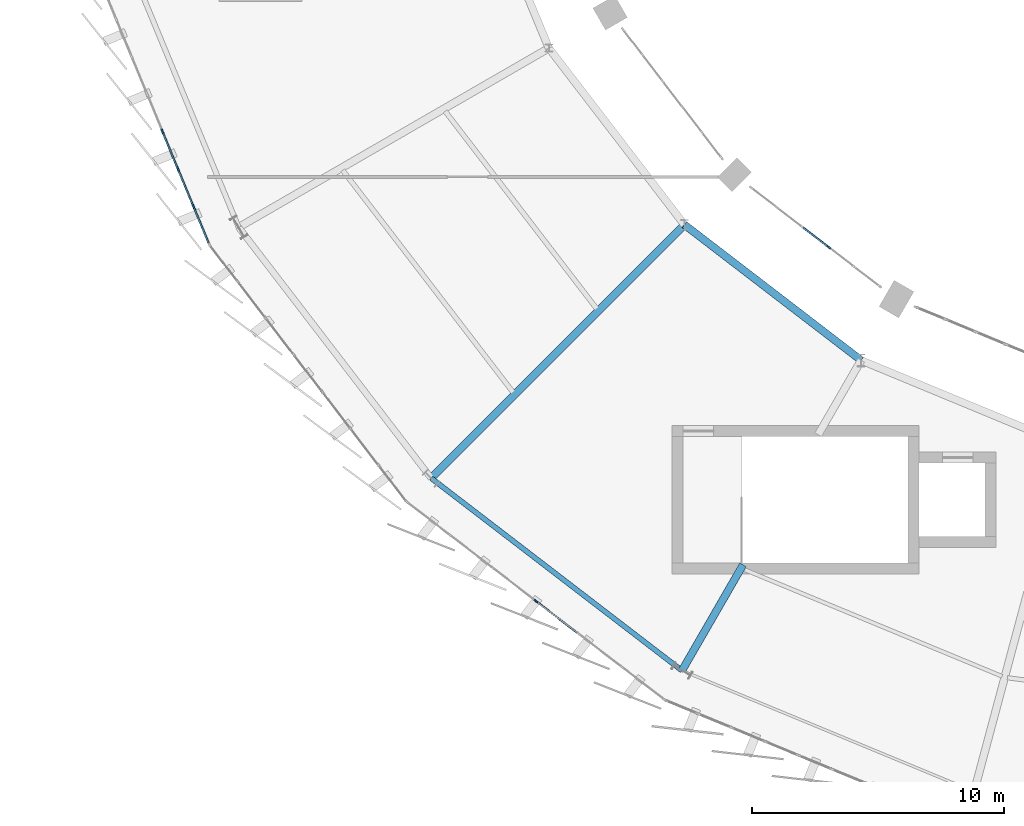
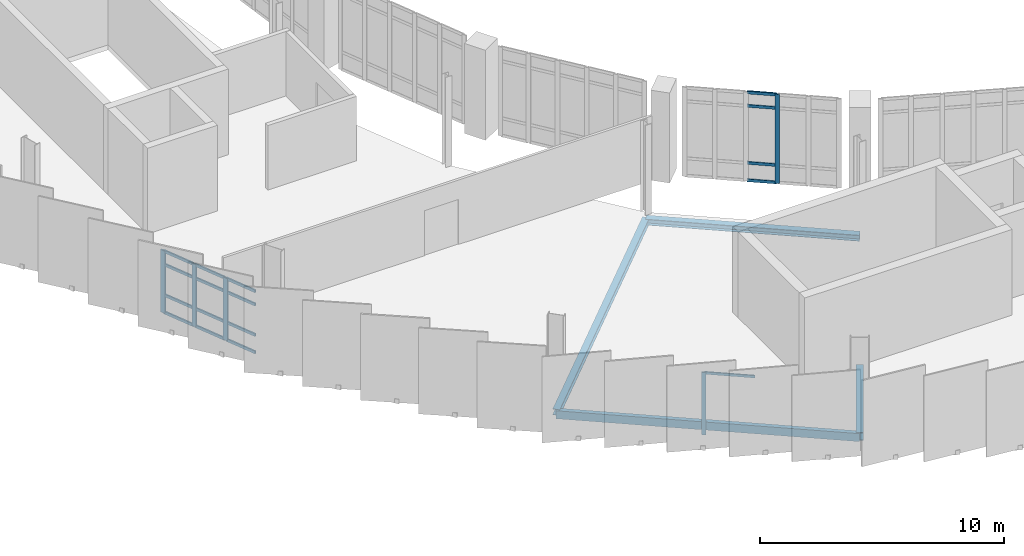
# One storey, part 16 of 67: 22 members, 4 beams, 3 elements without a shape of their own.
"""IFC4 building model written with IfcOpenShell, lengths in metres."""

from ifc_helpers import new_model, si_unit, direction, frame, origin, origin_2d, place, context, subcontext, project, spatial, rectangle, hollow_rectangle, i_section, extrude, material, layer, layer_set, material_profile, profile_set, type_object, element, aggregate, save


model = new_model("IFC4")

# Units and contexts
model_context = context("Model", 3, precision=1e-05, world=origin(), true_north=direction((0.0, 1.0)))
body_context = subcontext(model_context, "Body", "Model", "MODEL_VIEW")
ifc_project = project(units=[si_unit("LENGTHUNIT", "METRE"), si_unit("AREAUNIT", "SQUARE_METRE"), si_unit("VOLUMEUNIT", "CUBIC_METRE"), si_unit("PLANEANGLEUNIT", "RADIAN"), si_unit("MASSUNIT", "GRAM", prefix="KILO")], contexts=[model_context])

# Site, building, storey
site_placement = place(None, origin())
site = spatial("IfcSite", under=ifc_project, at=site_placement, CompositionType="ELEMENT")
building_placement = place(site_placement, origin())
building = spatial("IfcBuilding", under=site, at=building_placement, Name="Sohan Crest Arena", CompositionType="ELEMENT")
storey_placement = place(building_placement, frame((0.0, 0.0, 22.5)))
storey = spatial("IfcBuildingStorey", under=building, at=storey_placement, Name="L05", CompositionType="ELEMENT", Elevation=22.5)

# Curtain wall, member
ifc_material_1 = material(Name="Thermally broken anodised aluminium", Category="aluminium")
ifc_layer_1 = layer(ifc_material_1, 0.239990234375, Name="Thermally broken anodised aluminium")
ifc_layer_set_1 = layer_set([ifc_layer_1], Name="Thermally broken anodised aluminium")
curtain_wall_type_1 = type_object("IfcCurtainWallType", Name="ARC-CW04", PredefinedType="NOTDEFINED", material=ifc_layer_set_1)
curtain_wall_1_placement = place(storey_placement, origin())
curtain_wall_1 = element("IfcCurtainWall", 1, at=curtain_wall_1_placement, inside=storey, type_object=curtain_wall_type_1, Name="Unitised curtain wall CW-155", PredefinedType="NOTDEFINED")
ifc_material_profile_1 = material_profile(ifc_material_1, rectangle(XDim=0.06494140625, YDim=0.179931640625, at=origin_2d()), Name="ALU-MULL 65x180")
ifc_profile_set_1 = profile_set([ifc_material_profile_1], Name="Thermally broken anodised aluminium")
member_type_1 = type_object("IfcMemberType", Name="ARC-CW-ML02", PredefinedType="MULLION", material=ifc_profile_set_1)
member_1_placement = place(storey_placement, frame((68.214599609375, 39.18310546875, 0.0), z_axis=(0.0, 0.0, 1.0), x_axis=(0.60871994181, 0.793385172815, 0.0)))
member_1 = element("IfcMember", 2, at=member_1_placement, type_object=member_type_1, Name="CW-155 mullion 4", PredefinedType="MULLION", context=body_context, shape_type="SweptSolid", body=[
    extrude(rectangle(XDim=0.06494140625, YDim=0.179931640625, at=origin_2d()), origin(), (0.0, 0.0, 1.0), 3.1201171875),
])

ifc_layer_2 = layer(ifc_material_1, 0.18994140625, Name="Thermally broken anodised aluminium")
ifc_layer_set_2 = layer_set([ifc_layer_2], Name="Thermally broken anodised aluminium")
curtain_wall_type_2 = type_object("IfcCurtainWallType", Name="ARC-CW05", PredefinedType="NOTDEFINED", material=ifc_layer_set_2)
curtain_wall_2_placement = place(storey_placement, origin())
curtain_wall_2 = element("IfcCurtainWall", 3, at=curtain_wall_2_placement, inside=storey, type_object=curtain_wall_type_2, Name="Unitised curtain wall CW-182", PredefinedType="NOTDEFINED")
ifc_material_profile_2 = material_profile(ifc_material_1, rectangle(XDim=0.070068359375, YDim=0.199951171875, at=origin_2d()), Name="ALU-MULL 70x200")
ifc_profile_set_2 = profile_set([ifc_material_profile_2], Name="Thermally broken anodised aluminium")
member_type_2 = type_object("IfcMemberType", Name="ARC-CW-ML03", PredefinedType="MULLION", material=ifc_profile_set_2)
member_2_placement = place(storey_placement, frame((79.8017578125, 53.2236328125, 0.0), z_axis=(0.0, 0.0, 1.0), x_axis=(0.608939000248, 0.793217053508, 0.0)))
member_2 = element("IfcMember", 4, at=member_2_placement, type_object=member_type_2, Name="CW-182 mullion 4", PredefinedType="MULLION", context=body_context, shape_type="SweptSolid", body=[
    extrude(rectangle(XDim=0.070068359375, YDim=0.199951171875, at=origin_2d()), origin(), (0.0, 0.0, 1.0), 4.449951171875),
])

# Curtain wall, members
ifc_layer_3 = layer(ifc_material_1, 0.199951171875, Name="Thermally broken anodised aluminium")
ifc_layer_set_3 = layer_set([ifc_layer_3], Name="Thermally broken anodised aluminium")
curtain_wall_type_3 = type_object("IfcCurtainWallType", Name="ARC-CW02", PredefinedType="NOTDEFINED", material=ifc_layer_set_3)
curtain_wall_3_placement = place(storey_placement, origin())
curtain_wall_3 = element("IfcCurtainWall", 5, at=curtain_wall_3_placement, inside=storey, type_object=curtain_wall_type_3, Name="Unitised curtain wall CW-153", PredefinedType="NOTDEFINED")
ifc_material_profile_3 = material_profile(ifc_material_1, rectangle(XDim=0.074951171875, YDim=0.219970703125, at=origin_2d()), Name="ALU-MULL 75x220")
ifc_profile_set_3 = profile_set([ifc_material_profile_3], Name="Thermally broken anodised aluminium")
member_type_3 = type_object("IfcMemberType", Name="ARC-CW-ML04", PredefinedType="MULLION", material=ifc_profile_set_3)
member_3_placement = place(storey_placement, frame((53.413330078125, 57.788330078125, 0.0), z_axis=(0.0, 0.0, 1.0), x_axis=(0.923878704229, 0.382685432009, 0.0)))
member_3 = element("IfcMember", 6, at=member_3_placement, type_object=member_type_3, Name="CW-153 mullion 6", PredefinedType="MULLION", context=body_context, shape_type="SweptSolid", body=[
    extrude(rectangle(XDim=0.074951171875, YDim=0.219970703125, at=origin_2d()), origin(), (0.0, 0.0, 1.0), 3.1201171875),
])
member_4_placement = place(storey_placement, frame((54.029541015625, 56.300537109375, 0.0), z_axis=(0.0, 0.0, 1.0), x_axis=(0.923878704229, 0.382685432009, 0.0)))
member_4 = element("IfcMember", 7, at=member_4_placement, type_object=member_type_3, Name="CW-153 mullion 7", PredefinedType="MULLION", context=body_context, shape_type="SweptSolid", body=[
    extrude(rectangle(XDim=0.074951171875, YDim=0.219970703125, at=origin_2d()), origin(), (0.0, 0.0, 1.0), 3.1201171875),
])
member_5_placement = place(storey_placement, frame((54.645751953125, 54.812744140625, 0.0), z_axis=(0.0, 0.0, 1.0), x_axis=(0.923878704229, 0.382685432009, 0.0)))
member_5 = element("IfcMember", 8, at=member_5_placement, type_object=member_type_3, Name="CW-153 mullion 8", PredefinedType="MULLION", context=body_context, shape_type="SweptSolid", body=[
    extrude(rectangle(XDim=0.074951171875, YDim=0.219970703125, at=origin_2d()), origin(), (0.0, 0.0, 1.0), 3.1201171875),
])

# Member
ifc_material_profile_4 = material_profile(ifc_material_1, rectangle(XDim=0.06005859375, YDim=0.1201171875, at=origin_2d()), Name="ALU-TRAN 60x120")
ifc_profile_set_4 = profile_set([ifc_material_profile_4], Name="Thermally broken anodised aluminium")
member_type_4 = type_object("IfcMemberType", Name="ARC-CW-TR01", PredefinedType="USERDEFINED", material=ifc_profile_set_4)
member_6_placement = place(storey_placement, frame((68.240234375, 39.163330078125, 3.090087890625), z_axis=(0.793381749206, -0.608724404001, 0.0), x_axis=(0.608724404001, 0.793381749206, 0.0)))
member_6 = element("IfcMember", 9, at=member_6_placement, type_object=member_type_4, Name="CW-155 transom 4.4", ObjectType="TRANSOM", PredefinedType="USERDEFINED", context=body_context, shape_type="SweptSolid", body=[
    extrude(rectangle(XDim=0.06005859375, YDim=0.1201171875, at=origin_2d()), origin(), (0.0, 0.0, 1.0), 2.082275390625),
])

aggregate(curtain_wall_1, [member_1, member_6])

ifc_material_profile_5 = material_profile(ifc_material_1, rectangle(XDim=0.06494140625, YDim=0.139892578125, at=origin_2d()), Name="ALU-TRAN 65x140")
ifc_profile_set_5 = profile_set([ifc_material_profile_5], Name="Thermally broken anodised aluminium")
member_type_5 = type_object("IfcMemberType", Name="ARC-CW-TR02", PredefinedType="USERDEFINED", material=ifc_profile_set_5)
member_7_placement = place(storey_placement, frame((53.427490234375, 57.753662109375, 0.032470703125), z_axis=(0.38274032778, -0.923855963606, 0.0), x_axis=(0.923855963606, 0.38274032778, 0.0)))
member_7 = element("IfcMember", 10, at=member_7_placement, type_object=member_type_5, Name="CW-153 transom 6.1", ObjectType="TRANSOM", PredefinedType="USERDEFINED", context=body_context, shape_type="SweptSolid", body=[
    extrude(rectangle(XDim=0.06494140625, YDim=0.139892578125, at=origin_2d()), origin(), (0.0, 0.0, 1.0), 1.535400390625),
])

member_8_placement = place(storey_placement, frame((53.427490234375, 57.753662109375, 0.89990234375), z_axis=(0.38274032778, -0.923855963606, 0.0), x_axis=(0.923855963606, 0.38274032778, 0.0)))
member_8 = element("IfcMember", 11, at=member_8_placement, type_object=member_type_5, Name="CW-153 transom 6.2", ObjectType="TRANSOM", PredefinedType="USERDEFINED", context=body_context, shape_type="SweptSolid", body=[
    extrude(rectangle(XDim=0.06494140625, YDim=0.139892578125, at=origin_2d()), origin(), (0.0, 0.0, 1.0), 1.535400390625),
])

member_9_placement = place(storey_placement, frame((53.427490234375, 57.753662109375, 2.419921875), z_axis=(0.38274032778, -0.923855963606, 0.0), x_axis=(0.923855963606, 0.38274032778, 0.0)))
member_9 = element("IfcMember", 12, at=member_9_placement, type_object=member_type_5, Name="CW-153 transom 6.3", ObjectType="TRANSOM", PredefinedType="USERDEFINED", context=body_context, shape_type="SweptSolid", body=[
    extrude(rectangle(XDim=0.06494140625, YDim=0.139892578125, at=origin_2d()), origin(), (0.0, 0.0, 1.0), 1.535400390625),
])

member_10_placement = place(storey_placement, frame((53.427490234375, 57.753662109375, 3.08740234375), z_axis=(0.38274032778, -0.923855963606, 0.0), x_axis=(0.923855963606, 0.38274032778, 0.0)))
member_10 = element("IfcMember", 13, at=member_10_placement, type_object=member_type_5, Name="CW-153 transom 6.4", ObjectType="TRANSOM", PredefinedType="USERDEFINED", context=body_context, shape_type="SweptSolid", body=[
    extrude(rectangle(XDim=0.06494140625, YDim=0.139892578125, at=origin_2d()), origin(), (0.0, 0.0, 1.0), 1.535400390625),
])

member_11_placement = place(storey_placement, frame((54.0439453125, 56.265869140625, 0.032470703125), z_axis=(0.382604597635, -0.923912182985, 0.0), x_axis=(0.923912182985, 0.382604597635, 0.0)))
member_11 = element("IfcMember", 14, at=member_11_placement, type_object=member_type_5, Name="CW-153 transom 7.1", ObjectType="TRANSOM", PredefinedType="USERDEFINED", context=body_context, shape_type="SweptSolid", body=[
    extrude(rectangle(XDim=0.06494140625, YDim=0.139892578125, at=origin_2d()), origin(), (0.0, 0.0, 1.0), 1.53515625),
])

member_12_placement = place(storey_placement, frame((54.0439453125, 56.265869140625, 0.89990234375), z_axis=(0.382604597635, -0.923912182985, 0.0), x_axis=(0.923912182985, 0.382604597635, 0.0)))
member_12 = element("IfcMember", 15, at=member_12_placement, type_object=member_type_5, Name="CW-153 transom 7.2", ObjectType="TRANSOM", PredefinedType="USERDEFINED", context=body_context, shape_type="SweptSolid", body=[
    extrude(rectangle(XDim=0.06494140625, YDim=0.139892578125, at=origin_2d()), origin(), (0.0, 0.0, 1.0), 1.53515625),
])

member_13_placement = place(storey_placement, frame((54.0439453125, 56.265869140625, 2.419921875), z_axis=(0.382604597635, -0.923912182985, 0.0), x_axis=(0.923912182985, 0.382604597635, 0.0)))
member_13 = element("IfcMember", 16, at=member_13_placement, type_object=member_type_5, Name="CW-153 transom 7.3", ObjectType="TRANSOM", PredefinedType="USERDEFINED", context=body_context, shape_type="SweptSolid", body=[
    extrude(rectangle(XDim=0.06494140625, YDim=0.139892578125, at=origin_2d()), origin(), (0.0, 0.0, 1.0), 1.53515625),
])

member_14_placement = place(storey_placement, frame((54.0439453125, 56.265869140625, 3.08740234375), z_axis=(0.382604597635, -0.923912182985, 0.0), x_axis=(0.923912182985, 0.382604597635, 0.0)))
member_14 = element("IfcMember", 17, at=member_14_placement, type_object=member_type_5, Name="CW-153 transom 7.4", ObjectType="TRANSOM", PredefinedType="USERDEFINED", context=body_context, shape_type="SweptSolid", body=[
    extrude(rectangle(XDim=0.06494140625, YDim=0.139892578125, at=origin_2d()), origin(), (0.0, 0.0, 1.0), 1.53515625),
])

member_15_placement = place(storey_placement, frame((54.66015625, 54.778076171875, 0.032470703125), z_axis=(0.382716478617, -0.923865843613, 0.0), x_axis=(0.923865843613, 0.382716478617, 0.0)))
member_15 = element("IfcMember", 18, at=member_15_placement, type_object=member_type_5, Name="CW-153 transom 8.1", ObjectType="TRANSOM", PredefinedType="USERDEFINED", context=body_context, shape_type="SweptSolid", body=[
    extrude(rectangle(XDim=0.06494140625, YDim=0.139892578125, at=origin_2d()), origin(), (0.0, 0.0, 1.0), 1.497802734375),
])

member_16_placement = place(storey_placement, frame((54.66015625, 54.778076171875, 0.89990234375), z_axis=(0.382716478617, -0.923865843613, 0.0), x_axis=(0.923865843613, 0.382716478617, 0.0)))
member_16 = element("IfcMember", 19, at=member_16_placement, type_object=member_type_5, Name="CW-153 transom 8.2", ObjectType="TRANSOM", PredefinedType="USERDEFINED", context=body_context, shape_type="SweptSolid", body=[
    extrude(rectangle(XDim=0.06494140625, YDim=0.139892578125, at=origin_2d()), origin(), (0.0, 0.0, 1.0), 1.497802734375),
])

member_17_placement = place(storey_placement, frame((54.66015625, 54.778076171875, 2.419921875), z_axis=(0.382716478617, -0.923865843613, 0.0), x_axis=(0.923865843613, 0.382716478617, 0.0)))
member_17 = element("IfcMember", 20, at=member_17_placement, type_object=member_type_5, Name="CW-153 transom 8.3", ObjectType="TRANSOM", PredefinedType="USERDEFINED", context=body_context, shape_type="SweptSolid", body=[
    extrude(rectangle(XDim=0.06494140625, YDim=0.139892578125, at=origin_2d()), origin(), (0.0, 0.0, 1.0), 1.497802734375),
])

member_18_placement = place(storey_placement, frame((54.66015625, 54.778076171875, 3.08740234375), z_axis=(0.382716478617, -0.923865843613, 0.0), x_axis=(0.923865843613, 0.382716478617, 0.0)))
member_18 = element("IfcMember", 21, at=member_18_placement, type_object=member_type_5, Name="CW-153 transom 8.4", ObjectType="TRANSOM", PredefinedType="USERDEFINED", context=body_context, shape_type="SweptSolid", body=[
    extrude(rectangle(XDim=0.06494140625, YDim=0.139892578125, at=origin_2d()), origin(), (0.0, 0.0, 1.0), 1.497802734375),
])

aggregate(curtain_wall_3, [member_3, member_4, member_5, member_7, member_8, member_9, member_10, member_11, member_12, member_13, member_14, member_15, member_16, member_17, member_18])

member_19_placement = place(storey_placement, frame((78.805908203125, 53.988037109375, 0.032470703125), z_axis=(0.793203705004, -0.608956387903, 0.0), x_axis=(0.608956387903, 0.793203705004, 0.0)))
member_19 = element("IfcMember", 22, at=member_19_placement, type_object=member_type_5, Name="CW-182 transom 3.1", ObjectType="TRANSOM", PredefinedType="USERDEFINED", context=body_context, shape_type="SweptSolid", body=[
    extrude(rectangle(XDim=0.06494140625, YDim=0.139892578125, at=origin_2d()), origin(), (0.0, 0.0, 1.0), 1.220458984375),
])

member_20_placement = place(storey_placement, frame((78.805908203125, 53.988037109375, 0.89990234375), z_axis=(0.793203705004, -0.608956387903, 0.0), x_axis=(0.608956387903, 0.793203705004, 0.0)))
member_20 = element("IfcMember", 23, at=member_20_placement, type_object=member_type_5, Name="CW-182 transom 3.2", ObjectType="TRANSOM", PredefinedType="USERDEFINED", context=body_context, shape_type="SweptSolid", body=[
    extrude(rectangle(XDim=0.06494140625, YDim=0.139892578125, at=origin_2d()), origin(), (0.0, 0.0, 1.0), 1.220458984375),
])

member_21_placement = place(storey_placement, frame((78.805908203125, 53.988037109375, 3.75), z_axis=(0.793203705004, -0.608956387903, 0.0), x_axis=(0.608956387903, 0.793203705004, 0.0)))
member_21 = element("IfcMember", 24, at=member_21_placement, type_object=member_type_5, Name="CW-182 transom 3.3", ObjectType="TRANSOM", PredefinedType="USERDEFINED", context=body_context, shape_type="SweptSolid", body=[
    extrude(rectangle(XDim=0.06494140625, YDim=0.139892578125, at=origin_2d()), origin(), (0.0, 0.0, 1.0), 1.220458984375),
])

member_22_placement = place(storey_placement, frame((78.805908203125, 53.988037109375, 4.41748046875), z_axis=(0.793203705004, -0.608956387903, 0.0), x_axis=(0.608956387903, 0.793203705004, 0.0)))
member_22 = element("IfcMember", 25, at=member_22_placement, type_object=member_type_5, Name="CW-182 transom 3.4", ObjectType="TRANSOM", PredefinedType="USERDEFINED", context=body_context, shape_type="SweptSolid", body=[
    extrude(rectangle(XDim=0.06494140625, YDim=0.139892578125, at=origin_2d()), origin(), (0.0, 0.0, 1.0), 1.220458984375),
])

aggregate(curtain_wall_2, [member_2, member_19, member_20, member_21, member_22])

# Beams
ifc_material_2 = material(Name="Steel S355", Category="steel")
ifc_material_profile_6 = material_profile(ifc_material_2, i_section(OverallWidth=0.300048828125, OverallDepth=0.300048828125, WebThickness=0.010986328125, FlangeThickness=0.01904296875, at=origin_2d()), Name="HEB 300")
ifc_profile_set_6 = profile_set([ifc_material_profile_6], Name="Steel S355")
beam_type_1 = type_object("IfcBeamType", Name="STR-BM-B12", PredefinedType="BEAM", material=ifc_profile_set_6)
beam_1_placement = place(storey_placement, frame((74.10009765625, 54.10009765625, -0.39990234375), z_axis=(-0.707106781187, -0.707106781187, 0.0), x_axis=(0.707106781187, -0.707106781187, 0.0)))
element("IfcBeam", 26, at=beam_1_placement, inside=storey, type_object=beam_type_1, Name="Structural beam G-L05-1744", PredefinedType="BEAM", context=body_context, shape_type="SweptSolid", body=[
    extrude(i_section(OverallWidth=0.300048828125, OverallDepth=0.300048828125, WebThickness=0.010986328125, FlangeThickness=0.01904296875, at=origin_2d()), origin(), (0.0, 0.0, 1.0), 14.2001953125),
])
beam_2_placement = place(storey_placement, frame((74.10009765625, 54.10009765625, -0.39990234375), z_axis=(0.793310569192, -0.608817165336, 0.0), x_axis=(0.608817165336, 0.793310569192, 0.0)))
element("IfcBeam", 27, at=beam_2_placement, inside=storey, type_object=beam_type_1, Name="Structural beam G-L05-1745", PredefinedType="BEAM", context=body_context, shape_type="SweptSolid", body=[
    extrude(i_section(OverallWidth=0.300048828125, OverallDepth=0.300048828125, WebThickness=0.010986328125, FlangeThickness=0.01904296875, at=origin_2d()), origin(), (0.0, 0.0, 1.0), 8.82373046875),
])
ifc_material_profile_7 = material_profile(ifc_material_2, i_section(OverallWidth=0.300048828125, OverallDepth=0.39990234375, WebThickness=0.013427734375, FlangeThickness=0.02392578125, at=origin_2d()), Name="HEB 400")
ifc_profile_set_7 = profile_set([ifc_material_profile_7], Name="Steel S355")
beam_type_2 = type_object("IfcBeamType", Name="STR-BM-B13", PredefinedType="BEAM", material=ifc_profile_set_7)
beam_3_placement = place(storey_placement, frame((76.4189453125, 40.6201171875, -0.449951171875), z_axis=(-0.500047190239, -0.865998156773, 0.0), x_axis=(0.865998156773, -0.500047190239, 0.0)))
element("IfcBeam", 28, at=beam_3_placement, inside=storey, type_object=beam_type_2, Name="Structural beam G-L05-1748", PredefinedType="BEAM", context=body_context, shape_type="SweptSolid", body=[
    extrude(i_section(OverallWidth=0.300048828125, OverallDepth=0.39990234375, WebThickness=0.013427734375, FlangeThickness=0.02392578125, at=origin_2d()), origin(), (0.0, 0.0, 1.0), 4.83740234375),
])
ifc_material_profile_8 = material_profile(ifc_material_2, hollow_rectangle(XDim=0.199951171875, YDim=0.39990234375, WallThickness=0.012451171875, at=origin_2d()), Name="RHS 400x200x12.5")
ifc_profile_set_8 = profile_set([ifc_material_profile_8], Name="Steel S355")
beam_type_3 = type_object("IfcBeamType", Name="STR-BM-SP05", PredefinedType="SPANDREL", material=ifc_profile_set_8)
beam_4_placement = place(storey_placement, frame((64.05908203125, 44.05908203125, -0.449951171875), z_axis=(0.793344121205, -0.608773443368, 0.0), x_axis=(0.608773443368, 0.793344121205, 0.0)))
element("IfcBeam", 29, at=beam_4_placement, inside=storey, type_object=beam_type_3, Name="Structural beam SP-L05-1746", PredefinedType="SPANDREL", context=body_context, shape_type="SweptSolid", body=[
    extrude(hollow_rectangle(XDim=0.199951171875, YDim=0.39990234375, WallThickness=0.012451171875, at=origin_2d()), origin(), (0.0, 0.0, 1.0), 12.530517578125),
])

save(model, "model.ifc")
